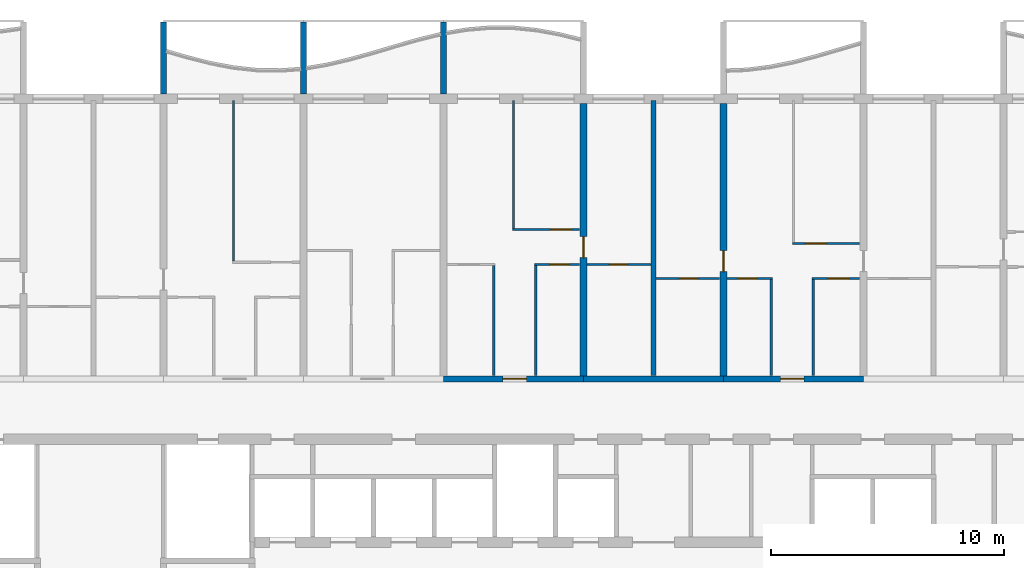
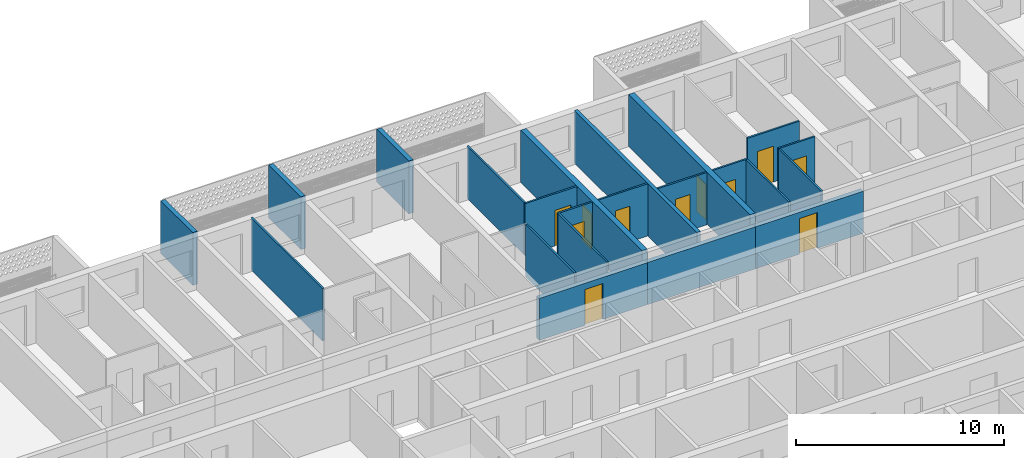
# One storey, part 10 of 33: 22 walls, 11 doors, 11 openings.
"""IFC4 building model written with IfcOpenShell, lengths in metres."""

from ifc_helpers import new_model, si_unit, direction, frame, frame_2d, origin, place, context, subcontext, project, spatial, polyline, rectangle, outline, extrude, source, transform, mapped, material, layer, layer_set, type_object, element, fill, save


model = new_model("IFC4")

# Units and contexts
model_context = context("Model", 3, precision=1e-05, world=origin(), true_north=direction((0.0, 1.0)))
body_context = subcontext(model_context, "Body", "Model", "MODEL_VIEW")
ifc_project = project(units=[si_unit("LENGTHUNIT", "METRE"), si_unit("AREAUNIT", "SQUARE_METRE"), si_unit("VOLUMEUNIT", "CUBIC_METRE"), si_unit("PLANEANGLEUNIT", "RADIAN"), si_unit("MASSUNIT", "GRAM", prefix="KILO")], contexts=[model_context])

# Site, building, storey
site_placement = place(None, origin())
site = spatial("IfcSite", under=ifc_project, at=site_placement, CompositionType="ELEMENT")
building_placement = place(site_placement, origin())
building = spatial("IfcBuilding", under=site, at=building_placement, Name="Poui Terraces", CompositionType="ELEMENT")
storey_placement = place(building_placement, frame((0.0, 0.0, 138.89990234375)))
storey = spatial("IfcBuildingStorey", under=building, at=storey_placement, Name="L38", CompositionType="ELEMENT", Elevation=138.89990234375)

# Wall, opening, door
ifc_material_1 = material(Name="Concrete 65 MPa", Category="concrete")
ifc_layer_1 = layer(ifc_material_1, 0.25)
ifc_layer_set_1 = layer_set([ifc_layer_1], Name="Concrete 65 MPa")
wall_type_1 = type_object("IfcWallType", Name="CORRIDOR WALL 250 65MPa", PredefinedType="SHEAR", material=ifc_layer_set_1)
wall_1_placement = place(storey_placement, frame((42.0, 30.39990234375, 0.0), z_axis=(0.0, 0.0, 1.0), x_axis=(1.0, 0.0, 0.0)))
wall_1 = element("IfcWall", 1, at=wall_1_placement, inside=storey, type_object=wall_type_1, Name="CORRIDOR WALL LINE E BAY 6", PredefinedType="SHEAR", context=body_context, shape_type="SweptSolid", body=[
    extrude(rectangle(XDim=6.0, YDim=0.25, at=frame_2d((3.0, 0.0))), origin(), (0.0, 0.0, 1.0), 2.47021484375),
])
opening_1_placement = place(wall_1_placement, frame((2.550048828125, 0.0, 0.0)))
opening_1 = element("IfcOpeningElement", 2, at=opening_1_placement, cuts=wall_1, Name="Opening FD30S", PredefinedType="OPENING", context=body_context, shape_type="SweptSolid", body=[
    extrude(rectangle(XDim=1.0, YDim=2.10009765625, at=frame_2d((0.5, 1.050048828125))), frame((0.0, 0.135009765625, 0.0), z_axis=(0.0, -1.0, 0.0), x_axis=(1.0, 0.0, 0.0)), (0.0, 0.0, 1.0), 0.27001953125),
])
ifc_material_2 = material(Name="Steel fire door", Category="steel")
door_type_1 = type_object("IfcDoorType", Name="FLAT ENTRANCE DOOR 1000 X 2100", OperationType="NOTDEFINED", PredefinedType="DOOR", material=ifc_material_2)
door_1_placement = place(opening_1_placement, origin())
door_1 = element("IfcDoor", 3, at=door_1_placement, inside=storey, type_object=door_type_1, Name="FLAT ENTRANCE DOOR 049", OperationType="SINGLE_SWING_RIGHT", OverallHeight=2.10009765625, OverallWidth=1.0, PredefinedType="DOOR", context=body_context, shape_type="SweptSolid", body=[
    extrude(rectangle(XDim=1.0, YDim=2.10009765625, at=frame_2d((0.5, 1.050048828125))), frame((0.0, 0.02490234375, 0.0), z_axis=(0.0, -1.0, 0.0), x_axis=(1.0, 0.0, 0.0)), (0.0, 0.0, 1.0), 0.050048828125),
])
fill(opening_1, door_1)

# Wall
wall_2_placement = place(storey_placement, frame((48.0, 30.39990234375, 0.0), z_axis=(0.0, 0.0, 1.0), x_axis=(1.0, 0.0, 0.0)))
element("IfcWall", 4, at=wall_2_placement, inside=storey, type_object=wall_type_1, Name="CORRIDOR WALL LINE E BAY 7", PredefinedType="SHEAR", context=body_context, shape_type="SweptSolid", body=[
    extrude(rectangle(XDim=6.0, YDim=0.25, at=frame_2d((3.0, 0.0))), origin(), (0.0, 0.0, 1.0), 2.47021484375),
])

# Wall, opening, door
wall_3_placement = place(storey_placement, frame((54.0, 30.39990234375, 0.0), z_axis=(0.0, 0.0, 1.0), x_axis=(1.0, 0.0, 0.0)))
wall_3 = element("IfcWall", 5, at=wall_3_placement, inside=storey, type_object=wall_type_1, Name="CORRIDOR WALL LINE E BAY 8", PredefinedType="SHEAR", context=body_context, shape_type="SweptSolid", body=[
    extrude(rectangle(XDim=6.0, YDim=0.25, at=frame_2d((3.0, 0.0))), origin(), (0.0, 0.0, 1.0), 2.47021484375),
])
opening_2_placement = place(wall_3_placement, frame((2.449951171875, 0.0, 0.0)))
opening_2 = element("IfcOpeningElement", 6, at=opening_2_placement, cuts=wall_3, Name="Opening FD30S", PredefinedType="OPENING", context=body_context, shape_type="SweptSolid", body=[
    extrude(rectangle(XDim=1.0, YDim=2.10009765625, at=frame_2d((0.5, 1.050048828125))), frame((0.0, 0.135009765625, 0.0), z_axis=(0.0, -1.0, 0.0), x_axis=(1.0, 0.0, 0.0)), (0.0, 0.0, 1.0), 0.27001953125),
])
door_2_placement = place(opening_2_placement, origin())
door_2 = element("IfcDoor", 7, at=door_2_placement, inside=storey, type_object=door_type_1, Name="FLAT ENTRANCE DOOR 057", OperationType="SINGLE_SWING_LEFT", OverallHeight=2.10009765625, OverallWidth=1.0, PredefinedType="DOOR", context=body_context, shape_type="SweptSolid", body=[
    extrude(rectangle(XDim=1.0, YDim=2.10009765625, at=frame_2d((0.5, 1.050048828125))), frame((0.0, 0.02490234375, 0.0), z_axis=(0.0, -1.0, 0.0), x_axis=(1.0, 0.0, 0.0)), (0.0, 0.0, 1.0), 0.050048828125),
])
fill(opening_2, door_2)

ifc_layer_2 = layer(ifc_material_1, 0.300048828125)
ifc_layer_set_2 = layer_set([ifc_layer_2], Name="Concrete 65 MPa")
wall_type_2 = type_object("IfcWallType", Name="CROSS WALL 300 65MPa", PredefinedType="SHEAR", material=ifc_layer_set_2)
wall_4_placement = place(storey_placement, frame((48.0, 30.52490234375, 0.0), z_axis=(0.0, 0.0, 1.0), x_axis=(0.0, 1.0, 0.0)))
wall_4 = element("IfcWall", 8, at=wall_4_placement, inside=storey, type_object=wall_type_2, Name="CROSS WALL LINE 9 NORTH", PredefinedType="SHEAR", context=body_context, shape_type="SweptSolid", body=[
    extrude(rectangle(XDim=11.675048828125, YDim=0.300048828125, at=frame_2d((5.83740234375, 0.0))), origin(), (0.0, 0.0, 1.0), 3.070068359375),
])
opening_3_placement = place(wall_4_placement, frame((5.074951171875, 0.0, 0.0)))
opening_3 = element("IfcOpeningElement", 9, at=opening_3_placement, cuts=wall_4, Name="Opening D90", PredefinedType="OPENING", context=body_context, shape_type="SweptSolid", body=[
    extrude(rectangle(XDim=0.89990234375, YDim=2.10009765625, at=frame_2d((0.449951171875, 1.050048828125))), frame((0.0, 0.16015625, 0.0), z_axis=(0.0, -1.0, 0.0), x_axis=(1.0, 0.0, 0.0)), (0.0, 0.0, 1.0), 0.320068359375),
])
ifc_material_3 = material(Name="Solid core timber door", Category="wood")
door_type_2 = type_object("IfcDoorType", Name="INTERNAL DOOR 900 X 2100", OperationType="NOTDEFINED", PredefinedType="DOOR", material=ifc_material_3)
door_3_placement = place(opening_3_placement, frame((0.89990234375, 0.0, 0.0), z_axis=(0.0, 0.0, 1.0), x_axis=(-1.0, 0.0, 0.0)))
door_3 = element("IfcDoor", 10, at=door_3_placement, inside=storey, type_object=door_type_2, Name="INTERNAL DOOR 052", OperationType="SINGLE_SWING_RIGHT", OverallHeight=2.10009765625, OverallWidth=0.89990234375, PredefinedType="DOOR", context=body_context, shape_type="SweptSolid", body=[
    extrude(rectangle(XDim=0.89990234375, YDim=2.10009765625, at=frame_2d((0.449951171875, 1.050048828125))), frame((0.0, 0.02490234375, 0.0), z_axis=(0.0, -1.0, 0.0), x_axis=(1.0, 0.0, 0.0)), (0.0, 0.0, 1.0), 0.050048828125),
])
fill(opening_3, door_3)

wall_5_placement = place(storey_placement, frame((54.0, 30.52490234375, 0.0), z_axis=(0.0, 0.0, 1.0), x_axis=(0.0, 1.0, 0.0)))
wall_5 = element("IfcWall", 11, at=wall_5_placement, inside=storey, type_object=wall_type_2, Name="CROSS WALL LINE 10 NORTH", PredefinedType="SHEAR", context=body_context, shape_type="SweptSolid", body=[
    extrude(rectangle(XDim=11.675048828125, YDim=0.300048828125, at=frame_2d((5.83740234375, 0.0))), origin(), (0.0, 0.0, 1.0), 3.070068359375),
])
opening_4_placement = place(wall_5_placement, frame((4.47509765625, 0.0, 0.0)))
opening_4 = element("IfcOpeningElement", 12, at=opening_4_placement, cuts=wall_5, Name="Opening D90", PredefinedType="OPENING", context=body_context, shape_type="SweptSolid", body=[
    extrude(rectangle(XDim=0.89990234375, YDim=2.10009765625, at=frame_2d((0.449951171875, 1.050048828125))), frame((0.0, 0.16015625, 0.0), z_axis=(0.0, -1.0, 0.0), x_axis=(1.0, 0.0, 0.0)), (0.0, 0.0, 1.0), 0.320068359375),
])
door_4_placement = place(opening_4_placement, origin())
door_4 = element("IfcDoor", 13, at=door_4_placement, inside=storey, type_object=door_type_2, Name="INTERNAL DOOR 055", OperationType="SINGLE_SWING_LEFT", OverallHeight=2.10009765625, OverallWidth=0.89990234375, PredefinedType="DOOR", context=body_context, shape_type="SweptSolid", body=[
    extrude(rectangle(XDim=0.89990234375, YDim=2.10009765625, at=frame_2d((0.449951171875, 1.050048828125))), frame((0.0, 0.02490234375, 0.0), z_axis=(0.0, -1.0, 0.0), x_axis=(1.0, 0.0, 0.0)), (0.0, 0.0, 1.0), 0.050048828125),
])
fill(opening_4, door_4)

ifc_material_4 = material(Name="Plasterboard partition")
ifc_layer_3 = layer(ifc_material_4, 0.10009765625)
ifc_layer_set_3 = layer_set([ifc_layer_3], Name="Plasterboard partition")
wall_type_3 = type_object("IfcWallType", Name="FLAT PARTITION 100", PredefinedType="PARTITIONING", material=ifc_layer_set_3)
wall_6_placement = place(storey_placement, frame((51.10009765625, 34.699951171875, 0.0), z_axis=(0.0, 0.0, 1.0), x_axis=(1.0, 0.0, 0.0)))
wall_6 = element("IfcWall", 14, at=wall_6_placement, inside=storey, type_object=wall_type_3, Name="FLAT PARTITION 100", PredefinedType="PARTITIONING", context=body_context, shape_type="SweptSolid", body=[
    extrude(rectangle(XDim=2.739990234375, YDim=0.10009765625, at=frame_2d((1.3701171875, 0.0))), origin(), (0.0, 0.0, 1.0), 3.070068359375),
])
opening_5_placement = place(wall_6_placement, frame((1.0, 0.0, 0.0)))
opening_5 = element("IfcOpeningElement", 15, at=opening_5_placement, cuts=wall_6, Name="Opening D80", PredefinedType="OPENING", context=body_context, shape_type="SweptSolid", body=[
    extrude(rectangle(XDim=0.800048828125, YDim=2.10009765625, at=frame_2d((0.39990234375, 1.050048828125))), frame((0.0, 0.06005859375, 0.0), z_axis=(0.0, -1.0, 0.0), x_axis=(1.0, 0.0, 0.0)), (0.0, 0.0, 1.0), 0.1201171875),
])
door_type_3 = type_object("IfcDoorType", Name="BATHROOM, LAUNDRY AND STORE DOOR 800 X 2100", OperationType="NOTDEFINED", PredefinedType="DOOR", material=ifc_material_3)
door_5_placement = place(opening_5_placement, frame((0.800048828125, 0.0, 0.0), z_axis=(0.0, 0.0, 1.0), x_axis=(-1.0, 0.0, 0.0)))
door_5 = element("IfcDoor", 16, at=door_5_placement, inside=storey, type_object=door_type_3, Name="BATHROOM, LAUNDRY AND STORE DOOR 053", OperationType="SINGLE_SWING_LEFT", OverallHeight=2.10009765625, OverallWidth=0.800048828125, PredefinedType="DOOR", context=body_context, shape_type="SweptSolid", body=[
    extrude(rectangle(XDim=0.800048828125, YDim=2.10009765625, at=frame_2d((0.39990234375, 1.050048828125))), frame((0.0, 0.02490234375, 0.0), z_axis=(0.0, -1.0, 0.0), x_axis=(1.0, 0.0, 0.0)), (0.0, 0.0, 1.0), 0.050048828125),
])
fill(opening_5, door_5)

wall_7_placement = place(storey_placement, frame((54.159912109375, 34.699951171875, 0.0), z_axis=(0.0, 0.0, 1.0), x_axis=(1.0, 0.0, 0.0)))
wall_7 = element("IfcWall", 17, at=wall_7_placement, inside=storey, type_object=wall_type_3, Name="FLAT PARTITION 100", PredefinedType="PARTITIONING", context=body_context, shape_type="SweptSolid", body=[
    extrude(rectangle(XDim=1.940185546875, YDim=0.10009765625, at=frame_2d((0.97021484375, 0.0))), origin(), (0.0, 0.0, 1.0), 3.070068359375),
])
opening_6_placement = place(wall_7_placement, frame((0.465087890625, 0.0, 0.0)))
opening_6 = element("IfcOpeningElement", 18, at=opening_6_placement, cuts=wall_7, Name="Opening D80", PredefinedType="OPENING", context=body_context, shape_type="SweptSolid", body=[
    extrude(rectangle(XDim=0.800048828125, YDim=2.10009765625, at=frame_2d((0.39990234375, 1.050048828125))), frame((0.0, 0.06005859375, 0.0), z_axis=(0.0, -1.0, 0.0), x_axis=(1.0, 0.0, 0.0)), (0.0, 0.0, 1.0), 0.1201171875),
])
door_6_placement = place(opening_6_placement, frame((0.800048828125, 0.0, 0.0), z_axis=(0.0, 0.0, 1.0), x_axis=(-1.0, 0.0, 0.0)))
door_6 = element("IfcDoor", 19, at=door_6_placement, inside=storey, type_object=door_type_3, Name="BATHROOM, LAUNDRY AND STORE DOOR 056", OperationType="SINGLE_SWING_LEFT", OverallHeight=2.10009765625, OverallWidth=0.800048828125, PredefinedType="DOOR", context=body_context, shape_type="SweptSolid", body=[
    extrude(rectangle(XDim=0.800048828125, YDim=2.10009765625, at=frame_2d((0.39990234375, 1.050048828125))), frame((0.0, 0.02490234375, 0.0), z_axis=(0.0, -1.0, 0.0), x_axis=(1.0, 0.0, 0.0)), (0.0, 0.0, 1.0), 0.050048828125),
])
fill(opening_6, door_6)

wall_8_placement = place(storey_placement, frame((57.800048828125, 34.699951171875, 0.0), z_axis=(0.0, 0.0, 1.0), x_axis=(1.0, 0.0, 0.0)))
wall_8 = element("IfcWall", 20, at=wall_8_placement, inside=storey, type_object=wall_type_3, Name="FLAT PARTITION 100", PredefinedType="PARTITIONING", context=body_context, shape_type="SweptSolid", body=[
    extrude(rectangle(XDim=2.0400390625, YDim=0.10009765625, at=frame_2d((1.02001953125, 0.0))), origin(), (0.0, 0.0, 1.0), 3.070068359375),
])
opening_7_placement = place(wall_8_placement, frame((0.675048828125, 0.0, 0.0)))
opening_7 = element("IfcOpeningElement", 21, at=opening_7_placement, cuts=wall_8, Name="Opening D90", PredefinedType="OPENING", context=body_context, shape_type="SweptSolid", body=[
    extrude(rectangle(XDim=0.89990234375, YDim=2.10009765625, at=frame_2d((0.449951171875, 1.050048828125))), frame((0.0, 0.06005859375, 0.0), z_axis=(0.0, -1.0, 0.0), x_axis=(1.0, 0.0, 0.0)), (0.0, 0.0, 1.0), 0.1201171875),
])
door_7_placement = place(opening_7_placement, frame((0.89990234375, 0.0, 0.0), z_axis=(0.0, 0.0, 1.0), x_axis=(-1.0, 0.0, 0.0)))
door_7 = element("IfcDoor", 22, at=door_7_placement, inside=storey, type_object=door_type_2, Name="INTERNAL DOOR 059", OperationType="SINGLE_SWING_RIGHT", OverallHeight=2.10009765625, OverallWidth=0.89990234375, PredefinedType="DOOR", context=body_context, shape_type="SweptSolid", body=[
    extrude(rectangle(XDim=0.89990234375, YDim=2.10009765625, at=frame_2d((0.449951171875, 1.050048828125))), frame((0.0, 0.02490234375, 0.0), z_axis=(0.0, -1.0, 0.0), x_axis=(1.0, 0.0, 0.0)), (0.0, 0.0, 1.0), 0.050048828125),
])
fill(opening_7, door_7)

wall_9_placement = place(storey_placement, frame((45.89990234375, 35.300048828125, 0.0), z_axis=(0.0, 0.0, 1.0), x_axis=(1.0, 0.0, 0.0)))
wall_9 = element("IfcWall", 23, at=wall_9_placement, inside=storey, type_object=wall_type_3, Name="FLAT PARTITION 100", PredefinedType="PARTITIONING", context=body_context, shape_type="SweptSolid", body=[
    extrude(rectangle(XDim=1.940185546875, YDim=0.10009765625, at=frame_2d((0.97021484375, 0.0))), origin(), (0.0, 0.0, 1.0), 3.070068359375),
])
opening_8_placement = place(wall_9_placement, frame((0.675048828125, 0.0, 0.0)))
opening_8 = element("IfcOpeningElement", 24, at=opening_8_placement, cuts=wall_9, Name="Opening D80", PredefinedType="OPENING", context=body_context, shape_type="SweptSolid", body=[
    extrude(rectangle(XDim=0.800048828125, YDim=2.10009765625, at=frame_2d((0.39990234375, 1.050048828125))), frame((0.0, 0.06005859375, 0.0), z_axis=(0.0, -1.0, 0.0), x_axis=(1.0, 0.0, 0.0)), (0.0, 0.0, 1.0), 0.1201171875),
])
door_8_placement = place(opening_8_placement, frame((0.800048828125, 0.0, 0.0), z_axis=(0.0, 0.0, 1.0), x_axis=(-1.0, 0.0, 0.0)))
door_8 = element("IfcDoor", 25, at=door_8_placement, inside=storey, type_object=door_type_3, Name="BATHROOM, LAUNDRY AND STORE DOOR 050", OperationType="SINGLE_SWING_LEFT", OverallHeight=2.10009765625, OverallWidth=0.800048828125, PredefinedType="DOOR", context=body_context, shape_type="SweptSolid", body=[
    extrude(rectangle(XDim=0.800048828125, YDim=2.10009765625, at=frame_2d((0.39990234375, 1.050048828125))), frame((0.0, 0.02490234375, 0.0), z_axis=(0.0, -1.0, 0.0), x_axis=(1.0, 0.0, 0.0)), (0.0, 0.0, 1.0), 0.050048828125),
])
fill(opening_8, door_8)

wall_10_placement = place(storey_placement, frame((48.159912109375, 35.300048828125, 0.0), z_axis=(0.0, 0.0, 1.0), x_axis=(1.0, 0.0, 0.0)))
wall_10 = element("IfcWall", 26, at=wall_10_placement, inside=storey, type_object=wall_type_3, Name="FLAT PARTITION 100", PredefinedType="PARTITIONING", context=body_context, shape_type="SweptSolid", body=[
    extrude(rectangle(XDim=2.739990234375, YDim=0.10009765625, at=frame_2d((1.3701171875, 0.0))), origin(), (0.0, 0.0, 1.0), 3.070068359375),
])
opening_9_placement = place(wall_10_placement, frame((0.93994140625, 0.0, 0.0)))
opening_9 = element("IfcOpeningElement", 27, at=opening_9_placement, cuts=wall_10, Name="Opening D80", PredefinedType="OPENING", context=body_context, shape_type="SweptSolid", body=[
    extrude(rectangle(XDim=0.800048828125, YDim=2.10009765625, at=frame_2d((0.39990234375, 1.050048828125))), frame((0.0, 0.06005859375, 0.0), z_axis=(0.0, -1.0, 0.0), x_axis=(1.0, 0.0, 0.0)), (0.0, 0.0, 1.0), 0.1201171875),
])
door_9_placement = place(opening_9_placement, frame((0.800048828125, 0.0, 0.0), z_axis=(0.0, 0.0, 1.0), x_axis=(-1.0, 0.0, 0.0)))
door_9 = element("IfcDoor", 28, at=door_9_placement, inside=storey, type_object=door_type_3, Name="BATHROOM, LAUNDRY AND STORE DOOR 047", OperationType="SINGLE_SWING_RIGHT", OverallHeight=2.10009765625, OverallWidth=0.800048828125, PredefinedType="DOOR", context=body_context, shape_type="SweptSolid", body=[
    extrude(rectangle(XDim=0.800048828125, YDim=2.10009765625, at=frame_2d((0.39990234375, 1.050048828125))), frame((0.0, 0.02490234375, 0.0), z_axis=(0.0, -1.0, 0.0), x_axis=(1.0, 0.0, 0.0)), (0.0, 0.0, 1.0), 0.050048828125),
])
fill(opening_9, door_9)

wall_11_placement = place(storey_placement, frame((56.949951171875, 36.199951171875, 0.0), z_axis=(0.0, 0.0, 1.0), x_axis=(1.0, 0.0, 0.0)))
wall_11 = element("IfcWall", 29, at=wall_11_placement, inside=storey, type_object=wall_type_3, Name="FLAT PARTITION 100", PredefinedType="PARTITIONING", context=body_context, shape_type="SweptSolid", body=[
    extrude(rectangle(XDim=2.89013671875, YDim=0.10009765625, at=frame_2d((1.445068359375, 0.0))), origin(), (0.0, 0.0, 1.0), 3.070068359375),
])
opening_10_placement = place(wall_11_placement, frame((0.550048828125, 0.0, 0.0)))
opening_10 = element("IfcOpeningElement", 30, at=opening_10_placement, cuts=wall_11, Name="Opening D90", PredefinedType="OPENING", context=body_context, shape_type="SweptSolid", body=[
    extrude(rectangle(XDim=0.89990234375, YDim=2.10009765625, at=frame_2d((0.449951171875, 1.050048828125))), frame((0.0, 0.06005859375, 0.0), z_axis=(0.0, -1.0, 0.0), x_axis=(1.0, 0.0, 0.0)), (0.0, 0.0, 1.0), 0.1201171875),
])
door_10_placement = place(opening_10_placement, frame((0.89990234375, 0.0, 0.0), z_axis=(0.0, 0.0, 1.0), x_axis=(-1.0, 0.0, 0.0)))
door_10 = element("IfcDoor", 31, at=door_10_placement, inside=storey, type_object=door_type_2, Name="INTERNAL DOOR 058", OperationType="SINGLE_SWING_LEFT", OverallHeight=2.10009765625, OverallWidth=0.89990234375, PredefinedType="DOOR", context=body_context, shape_type="SweptSolid", body=[
    extrude(rectangle(XDim=0.89990234375, YDim=2.10009765625, at=frame_2d((0.449951171875, 1.050048828125))), frame((0.0, 0.02490234375, 0.0), z_axis=(0.0, -1.0, 0.0), x_axis=(1.0, 0.0, 0.0)), (0.0, 0.0, 1.0), 0.050048828125),
])
fill(opening_10, door_10)

wall_12_placement = place(storey_placement, frame((44.949951171875, 36.800048828125, 0.0), z_axis=(0.0, 0.0, 1.0), x_axis=(1.0, 0.0, 0.0)))
wall_12 = element("IfcWall", 32, at=wall_12_placement, inside=storey, type_object=wall_type_3, Name="FLAT PARTITION 100", PredefinedType="PARTITIONING", context=body_context, shape_type="SweptSolid", body=[
    extrude(rectangle(XDim=2.89013671875, YDim=0.10009765625, at=frame_2d((1.445068359375, 0.0))), origin(), (0.0, 0.0, 1.0), 3.070068359375),
])
opening_11_placement = place(wall_12_placement, frame((1.64990234375, 0.0, 0.0)))
opening_11 = element("IfcOpeningElement", 33, at=opening_11_placement, cuts=wall_12, Name="Opening D90", PredefinedType="OPENING", context=body_context, shape_type="SweptSolid", body=[
    extrude(rectangle(XDim=0.89990234375, YDim=2.10009765625, at=frame_2d((0.449951171875, 1.050048828125))), frame((0.0, 0.06005859375, 0.0), z_axis=(0.0, -1.0, 0.0), x_axis=(1.0, 0.0, 0.0)), (0.0, 0.0, 1.0), 0.1201171875),
])
door_11_placement = place(opening_11_placement, frame((0.89990234375, 0.0, 0.0), z_axis=(0.0, 0.0, 1.0), x_axis=(-1.0, 0.0, 0.0)))
door_11 = element("IfcDoor", 34, at=door_11_placement, inside=storey, type_object=door_type_2, Name="INTERNAL DOOR 051", OperationType="SINGLE_SWING_RIGHT", OverallHeight=2.10009765625, OverallWidth=0.89990234375, PredefinedType="DOOR", context=body_context, shape_type="SweptSolid", body=[
    extrude(rectangle(XDim=0.89990234375, YDim=2.10009765625, at=frame_2d((0.449951171875, 1.050048828125))), frame((0.0, 0.02490234375, 0.0), z_axis=(0.0, -1.0, 0.0), x_axis=(1.0, 0.0, 0.0)), (0.0, 0.0, 1.0), 0.050048828125),
])
fill(opening_11, door_11)

# Walls
wall_13_placement = place(storey_placement, frame((33.0, 35.449951171875, 0.0), z_axis=(0.0, 0.0, 1.0), x_axis=(0.0, 1.0, 0.0)))
element("IfcWall", 35, at=wall_13_placement, inside=storey, type_object=wall_type_3, Name="FLAT PARTITION 100", PredefinedType="PARTITIONING", context=body_context, shape_type="SweptSolid", body=[
    extrude(rectangle(XDim=6.89013671875, YDim=0.10009765625, at=frame_2d((3.445068359375, 0.0))), origin(), (0.0, 0.0, 1.0), 3.070068359375),
])
wall_14_placement = place(storey_placement, frame((44.14990234375, 30.534912109375, 0.0), z_axis=(0.0, 0.0, 1.0), x_axis=(0.0, 1.0, 0.0)))
element("IfcWall", 36, at=wall_14_placement, inside=storey, type_object=wall_type_3, Name="FLAT PARTITION 100", PredefinedType="PARTITIONING", context=body_context, shape_type="SweptSolid", body=[
    extrude(rectangle(XDim=4.715087890625, YDim=0.10009765625, at=frame_2d((2.357421875, 0.0))), origin(), (0.0, 0.0, 1.0), 3.070068359375),
])
wall_15_placement = place(storey_placement, frame((45.0, 36.85009765625, 0.0), z_axis=(0.0, 0.0, 1.0), x_axis=(0.0, 1.0, 0.0)))
element("IfcWall", 37, at=wall_15_placement, inside=storey, type_object=wall_type_3, Name="FLAT PARTITION 100", PredefinedType="PARTITIONING", context=body_context, shape_type="SweptSolid", body=[
    extrude(rectangle(XDim=5.489990234375, YDim=0.10009765625, at=frame_2d((2.7451171875, 0.0))), origin(), (0.0, 0.0, 1.0), 3.070068359375),
])
wall_16_placement = place(storey_placement, frame((45.949951171875, 30.534912109375, 0.0), z_axis=(0.0, 0.0, 1.0), x_axis=(0.0, 1.0, 0.0)))
element("IfcWall", 38, at=wall_16_placement, inside=storey, type_object=wall_type_3, Name="FLAT PARTITION 100", PredefinedType="PARTITIONING", context=body_context, shape_type="SweptSolid", body=[
    extrude(rectangle(XDim=4.715087890625, YDim=0.10009765625, at=frame_2d((2.357421875, 0.0))), origin(), (0.0, 0.0, 1.0), 3.070068359375),
])
for number, where, z_axis, x_axis, name in (
    (39, (56.050048828125, 30.534912109375, 0.0), (0.0, 0.0, 1.0), (0.0, 1.0, 0.0), "FLAT PARTITION 100"),
    (40, (57.85009765625, 30.534912109375, 0.0), (0.0, 0.0, 1.0), (0.0, 1.0, 0.0), "FLAT PARTITION 100"),
):
    element("IfcWall", number, at=place(storey_placement, frame(where, z_axis=z_axis, x_axis=x_axis)), inside=storey, type_object=wall_type_3, Name=name, PredefinedType="PARTITIONING", context=body_context, shape_type="SweptSolid", body=[
        extrude(rectangle(XDim=4.114990234375, YDim=0.10009765625, at=frame_2d((2.0576171875, 0.0))), origin(), (0.0, 0.0, 1.0), 3.070068359375),
    ])
ifc_material_5 = material(Name="Fire-rated masonry wall", Category="masonry")
ifc_layer_4 = layer(ifc_material_5, 0.199951171875)
ifc_layer_set_4 = layer_set([ifc_layer_4], Name="Fire-rated masonry wall")
wall_type_4 = type_object("IfcWallType", Name="FLAT PARTY WALL 200", PredefinedType="PARTITIONING", material=ifc_layer_set_4)
wall_17_placement = place(storey_placement, frame((51.0, 30.534912109375, 0.0), z_axis=(0.0, 0.0, 1.0), x_axis=(0.0, 1.0, 0.0)))
element("IfcWall", 41, at=wall_17_placement, inside=storey, type_object=wall_type_4, Name="FLAT PARTY WALL 200", PredefinedType="PARTITIONING", context=body_context, shape_type="SweptSolid", body=[
    extrude(rectangle(XDim=11.80517578125, YDim=0.199951171875, at=frame_2d((5.902587890625, 0.0))), origin(), (0.0, 0.0, 1.0), 3.070068359375),
])
ifc_material_6 = material(Name="Precast concrete 40 MPa", Category="concrete")
ifc_layer_5 = layer(ifc_material_6, 0.25)
ifc_layer_set_5 = layer_set([ifc_layer_5], Name="Precast concrete 40 MPa")
wall_type_5 = type_object("IfcWallType", Name="BALCONY FIN 250", PredefinedType="STANDARD", material=ifc_layer_set_5)
shared_shape = source(origin(), body_context, "Body", "SweptSolid", [
    extrude(outline(polyline([(0.0, 0.0), (0.25, 0.0), (0.25, 3.099853515625), (0.0, 3.099853515625), (0.0, 0.0)])), origin(), (0.0, 0.0, 1.0), 3.10009765625),
])
for number, where, name in (
    (42, (29.875, 42.60009765625, 0.0), "BALCONY FIN"),
    (43, (35.875, 42.60009765625, 0.0), "BALCONY FIN"),
    (44, (41.875, 42.60009765625, 0.0), "BALCONY FIN"),
):
    element("IfcWall", number, at=place(storey_placement, frame(where)), inside=storey, type_object=wall_type_5, Name=name, PredefinedType="STANDARD", context=body_context, shape_type="MappedRepresentation", body=[
        mapped(shared_shape, transform((0.0, 0.0, 0.0))),
    ])

save(model, "model.ifc")
